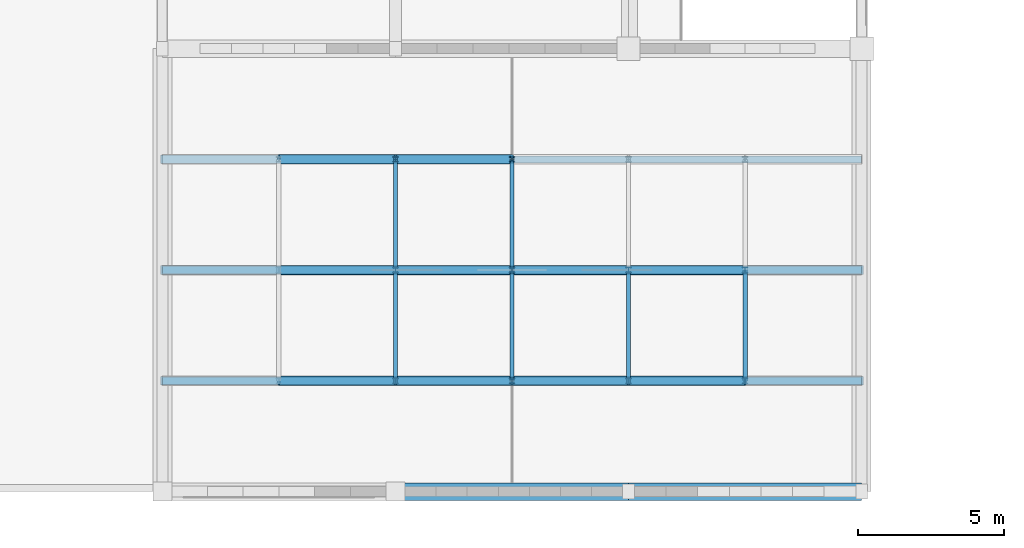
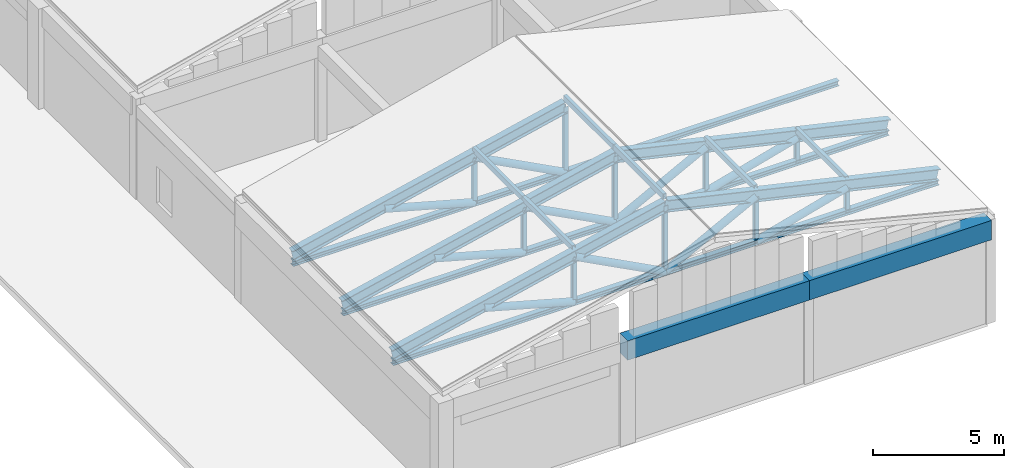
# One storey, part 25 of 61: 34 members, 2 beams.
"""IFC4 building model written with IfcOpenShell, lengths in metres."""

from ifc_helpers import new_model, si_unit, direction, frame, origin, origin_2d, place, context, subcontext, project, spatial, rectangle, hollow_rectangle, hollow_circle, i_section, extrude, material, material_profile, profile_set, type_object, element, save


model = new_model("IFC4")

# Units and contexts
model_context = context("Model", 3, precision=1e-05, world=origin(), true_north=direction((0.0, 1.0)))
body_context = subcontext(model_context, "Body", "Model", "MODEL_VIEW")
ifc_project = project(units=[si_unit("LENGTHUNIT", "METRE"), si_unit("AREAUNIT", "SQUARE_METRE"), si_unit("VOLUMEUNIT", "CUBIC_METRE"), si_unit("PLANEANGLEUNIT", "RADIAN"), si_unit("MASSUNIT", "GRAM", prefix="KILO")], contexts=[model_context])

# Site, building, storey
site_placement = place(None, origin())
site = spatial("IfcSite", under=ifc_project, at=site_placement, CompositionType="ELEMENT")
building_placement = place(site_placement, origin())
building = spatial("IfcBuilding", under=site, at=building_placement, Name="Vellmiral Cinema and Media Centre", CompositionType="ELEMENT")
storey_placement = place(building_placement, frame((0.0, 0.0, 10.800048828125)))
storey = spatial("IfcBuildingStorey", under=building, at=storey_placement, Name="L02", CompositionType="ELEMENT", Elevation=10.800048828125)

# Members
ifc_material_1 = material(Name="Steel S355", Category="steel")
ifc_material_profile_1 = material_profile(ifc_material_1, hollow_rectangle(XDim=0.14990234375, YDim=0.25, WallThickness=0.010009765625, at=origin_2d()), Name="RHS 250x150x10.0")
ifc_profile_set_1 = profile_set([ifc_material_profile_1], Name="Steel S355")
member_type_1 = type_object("IfcMemberType", Name="PRL-RHS250", PredefinedType="PURLIN", material=ifc_profile_set_1)
member_1_placement = place(storey_placement, frame((132.0, 16.60009765625, 6.634521484375), z_axis=(0.0, 1.0, 0.0), x_axis=(-1.0, 0.0, 0.0)))
element("IfcMember", 1, at=member_1_placement, inside=storey, type_object=member_type_1, Name="Roof Purlin 5.2.1", PredefinedType="PURLIN", context=body_context, shape_type="SweptSolid", body=[
    extrude(hollow_rectangle(XDim=0.14990234375, YDim=0.25, WallThickness=0.010009765625, at=origin_2d()), origin(), (0.0, 0.0, 1.0), 3.7998046875),
])
member_2_placement = place(storey_placement, frame((132.0, 20.39990234375, 6.634521484375), z_axis=(0.0, 1.0, 0.0), x_axis=(-1.0, 0.0, 0.0)))
element("IfcMember", 2, at=member_2_placement, inside=storey, type_object=member_type_1, Name="Roof Purlin 5.2.2", PredefinedType="PURLIN", context=body_context, shape_type="SweptSolid", body=[
    extrude(hollow_rectangle(XDim=0.14990234375, YDim=0.25, WallThickness=0.010009765625, at=origin_2d()), origin(), (0.0, 0.0, 1.0), 3.800048828125),
])
member_3_placement = place(storey_placement, frame((136.0, 16.60009765625, 7.6318359375), z_axis=(0.0, 1.0, 0.0), x_axis=(-1.0, 0.0, 0.0)))
element("IfcMember", 3, at=member_3_placement, inside=storey, type_object=member_type_1, Name="Roof Purlin 5.3.1", PredefinedType="PURLIN", context=body_context, shape_type="SweptSolid", body=[
    extrude(hollow_rectangle(XDim=0.14990234375, YDim=0.25, WallThickness=0.010009765625, at=origin_2d()), origin(), (0.0, 0.0, 1.0), 3.7998046875),
])
member_4_placement = place(storey_placement, frame((136.0, 20.39990234375, 7.6318359375), z_axis=(0.0, 1.0, 0.0), x_axis=(-1.0, 0.0, 0.0)))
element("IfcMember", 4, at=member_4_placement, inside=storey, type_object=member_type_1, Name="Roof Purlin 5.3.2", PredefinedType="PURLIN", context=body_context, shape_type="SweptSolid", body=[
    extrude(hollow_rectangle(XDim=0.14990234375, YDim=0.25, WallThickness=0.010009765625, at=origin_2d()), origin(), (0.0, 0.0, 1.0), 3.800048828125),
])
for number, where, z_axis, x_axis, name in (
    (5, (140.0, 16.60009765625, 6.634521484375), (0.0, 1.0, 0.0), (-1.0, 0.0, 0.0), "Roof Purlin 5.4.1"),
    (6, (144.0, 16.60009765625, 5.63720703125), (0.0, 1.0, 0.0), (-1.0, 0.0, 0.0), "Roof Purlin 5.5.1"),
):
    element("IfcMember", number, at=place(storey_placement, frame(where, z_axis=z_axis, x_axis=x_axis)), inside=storey, type_object=member_type_1, Name=name, PredefinedType="PURLIN", context=body_context, shape_type="SweptSolid", body=[
        extrude(hollow_rectangle(XDim=0.14990234375, YDim=0.25, WallThickness=0.010009765625, at=origin_2d()), origin(), (0.0, 0.0, 1.0), 3.7998046875),
    ])

# Beams
ifc_material_2 = material(Name="Concrete C40/50", Category="concrete")
ifc_material_profile_2 = material_profile(ifc_material_2, rectangle(XDim=0.60009765625, YDim=0.89990234375, at=origin_2d()), Name="RC 600x900")
ifc_profile_set_2 = profile_set([ifc_material_profile_2], Name="Concrete C40/50")
beam_type = type_object("IfcBeamType", Name="RING-BM-600x900", PredefinedType="BEAM", material=ifc_profile_set_2)
for number, where, z_axis, x_axis, name in (
    (7, (132.0, 12.800048828125, 4.349853515625), (1.0, 0.0, 0.0), (0.0, 1.0, 0.0), "Cinema Screen 5 Ring Beam 02"),
    (8, (140.0, 12.800048828125, 4.349853515625), (1.0, 0.0, 0.0), (0.0, 1.0, 0.0), "Cinema Screen 5 Ring Beam 03"),
):
    element("IfcBeam", number, at=place(storey_placement, frame(where, z_axis=z_axis, x_axis=x_axis)), inside=storey, type_object=beam_type, Name=name, PredefinedType="BEAM", context=body_context, shape_type="SweptSolid", body=[
        extrude(rectangle(XDim=0.60009765625, YDim=0.89990234375, at=origin_2d()), origin(), (0.0, 0.0, 1.0), 8.0),
    ])

# Members
ifc_material_3 = material(Name="Steel S355", Category="steel")
ifc_material_profile_3 = material_profile(ifc_material_3, hollow_circle(Radius=0.161865234375, WallThickness=0.012451171875, at=origin_2d()), Name="CHS 323.9x12.5")
ifc_profile_set_3 = profile_set([ifc_material_profile_3], Name="Steel S355")
member_type_2 = type_object("IfcMemberType", Name="TBR-CHS324", PredefinedType="BRACE", material=ifc_profile_set_3)
member_5_placement = place(storey_placement, frame((128.0, 16.60009765625, 5.252197265625), z_axis=(0.964063843926, 0.0, -0.265670669881), x_axis=(0.0, 1.0, 0.0)))
element("IfcMember", 9, at=member_5_placement, inside=storey, type_object=member_type_2, Name="Roof Truss TR-05.1 Diagonal 2", PredefinedType="BRACE", context=body_context, shape_type="SweptSolid", body=[
    extrude(hollow_circle(Radius=0.161865234375, WallThickness=0.012451171875, at=origin_2d()), origin(), (0.0, 0.0, 1.0), 4.149169921875),
])
for number, where, z_axis, x_axis, name in (
    (10, (132.0, 16.60009765625, 6.24951171875), (0.885433487316, 0.0, -0.464766112727), (0.0, 1.0, 0.0), "Roof Truss TR-05.1 Diagonal 3"),
    (11, (136.0, 16.60009765625, 4.14990234375), (0.885433487316, 0.0, 0.464766112727), (0.0, 1.0, 0.0), "Roof Truss TR-05.1 Diagonal 4"),
):
    element("IfcMember", number, at=place(storey_placement, frame(where, z_axis=z_axis, x_axis=x_axis)), inside=storey, type_object=member_type_2, Name=name, PredefinedType="BRACE", context=body_context, shape_type="SweptSolid", body=[
        extrude(hollow_circle(Radius=0.161865234375, WallThickness=0.012451171875, at=origin_2d()), origin(), (0.0, 0.0, 1.0), 4.517578125),
    ])
for number, where, z_axis, x_axis, name in (
    (12, (140.0, 16.60009765625, 4.14990234375), (0.964063843926, 0.0, 0.265670669881), (0.0, 1.0, 0.0), "Roof Truss TR-05.1 Diagonal 5"),
    (13, (128.0, 20.39990234375, 5.252197265625), (0.964063843926, 0.0, -0.265670669881), (0.0, 1.0, 0.0), "Roof Truss TR-05.2 Diagonal 2"),
):
    element("IfcMember", number, at=place(storey_placement, frame(where, z_axis=z_axis, x_axis=x_axis)), inside=storey, type_object=member_type_2, Name=name, PredefinedType="BRACE", context=body_context, shape_type="SweptSolid", body=[
        extrude(hollow_circle(Radius=0.161865234375, WallThickness=0.012451171875, at=origin_2d()), origin(), (0.0, 0.0, 1.0), 4.149169921875),
    ])
for number, where, z_axis, x_axis, name in (
    (14, (132.0, 20.39990234375, 6.24951171875), (0.885433487316, 0.0, -0.464766112727), (0.0, 1.0, 0.0), "Roof Truss TR-05.2 Diagonal 3"),
    (15, (136.0, 20.39990234375, 4.14990234375), (0.885433487316, 0.0, 0.464766112727), (0.0, 1.0, 0.0), "Roof Truss TR-05.2 Diagonal 4"),
):
    element("IfcMember", number, at=place(storey_placement, frame(where, z_axis=z_axis, x_axis=x_axis)), inside=storey, type_object=member_type_2, Name=name, PredefinedType="BRACE", context=body_context, shape_type="SweptSolid", body=[
        extrude(hollow_circle(Radius=0.161865234375, WallThickness=0.012451171875, at=origin_2d()), origin(), (0.0, 0.0, 1.0), 4.517578125),
    ])
for number, where, z_axis, x_axis, name in (
    (16, (140.0, 20.39990234375, 4.14990234375), (0.964063843926, 0.0, 0.265670669881), (0.0, 1.0, 0.0), "Roof Truss TR-05.2 Diagonal 5"),
    (17, (128.0, 24.199951171875, 5.252197265625), (0.964063843926, 0.0, -0.265670669881), (0.0, 1.0, 0.0), "Roof Truss TR-05.3 Diagonal 2"),
):
    element("IfcMember", number, at=place(storey_placement, frame(where, z_axis=z_axis, x_axis=x_axis)), inside=storey, type_object=member_type_2, Name=name, PredefinedType="BRACE", context=body_context, shape_type="SweptSolid", body=[
        extrude(hollow_circle(Radius=0.161865234375, WallThickness=0.012451171875, at=origin_2d()), origin(), (0.0, 0.0, 1.0), 4.149169921875),
    ])
member_6_placement = place(storey_placement, frame((132.0, 24.199951171875, 6.24951171875), z_axis=(0.885433487316, 0.0, -0.464766112727), x_axis=(0.0, 1.0, 0.0)))
element("IfcMember", 18, at=member_6_placement, inside=storey, type_object=member_type_2, Name="Roof Truss TR-05.3 Diagonal 3", PredefinedType="BRACE", context=body_context, shape_type="SweptSolid", body=[
    extrude(hollow_circle(Radius=0.161865234375, WallThickness=0.012451171875, at=origin_2d()), origin(), (0.0, 0.0, 1.0), 4.517578125),
])
ifc_material_4 = material(Name="Steel S355", Category="steel")
ifc_material_profile_4 = material_profile(ifc_material_4, i_section(OverallWidth=0.179931640625, OverallDepth=0.179931640625, WebThickness=0.008544921875, FlangeThickness=0.013916015625, FilletRadius=0.014892578125, at=origin_2d()), Name="HEB 180")
ifc_profile_set_4 = profile_set([ifc_material_profile_4], Name="Steel S355")
member_type_3 = type_object("IfcMemberType", Name="TBR-HEB180", PredefinedType="BRACE", material=ifc_profile_set_4)
member_7_placement = place(storey_placement, frame((132.0, 16.60009765625, 4.14990234375), z_axis=(0.0, 0.0, 1.0), x_axis=(1.0, 0.0, 0.0)))
element("IfcMember", 19, at=member_7_placement, inside=storey, type_object=member_type_3, Name="Roof Truss TR-05.1 Post 2", PredefinedType="BRACE", context=body_context, shape_type="SweptSolid", body=[
    extrude(i_section(OverallWidth=0.179931640625, OverallDepth=0.179931640625, WebThickness=0.008544921875, FlangeThickness=0.013916015625, FilletRadius=0.014892578125, at=origin_2d()), origin(), (0.0, 0.0, 1.0), 2.099609375),
])
member_8_placement = place(storey_placement, frame((136.0, 16.60009765625, 4.14990234375), z_axis=(0.0, 0.0, 1.0), x_axis=(1.0, 0.0, 0.0)))
element("IfcMember", 20, at=member_8_placement, inside=storey, type_object=member_type_3, Name="Roof Truss TR-05.1 Post 3", PredefinedType="BRACE", context=body_context, shape_type="SweptSolid", body=[
    extrude(i_section(OverallWidth=0.179931640625, OverallDepth=0.179931640625, WebThickness=0.008544921875, FlangeThickness=0.013916015625, FilletRadius=0.014892578125, at=origin_2d()), origin(), (0.0, 0.0, 1.0), 3.096923828125),
])
member_9_placement = place(storey_placement, frame((140.0, 16.60009765625, 4.14990234375), z_axis=(0.0, 0.0, 1.0), x_axis=(1.0, 0.0, 0.0)))
element("IfcMember", 21, at=member_9_placement, inside=storey, type_object=member_type_3, Name="Roof Truss TR-05.1 Post 4", PredefinedType="BRACE", context=body_context, shape_type="SweptSolid", body=[
    extrude(i_section(OverallWidth=0.179931640625, OverallDepth=0.179931640625, WebThickness=0.008544921875, FlangeThickness=0.013916015625, FilletRadius=0.014892578125, at=origin_2d()), origin(), (0.0, 0.0, 1.0), 2.099609375),
])
member_10_placement = place(storey_placement, frame((144.0, 16.60009765625, 4.14990234375), z_axis=(0.0, 0.0, 1.0), x_axis=(1.0, 0.0, 0.0)))
element("IfcMember", 22, at=member_10_placement, inside=storey, type_object=member_type_3, Name="Roof Truss TR-05.1 Post 5", PredefinedType="BRACE", context=body_context, shape_type="SweptSolid", body=[
    extrude(i_section(OverallWidth=0.179931640625, OverallDepth=0.179931640625, WebThickness=0.008544921875, FlangeThickness=0.013916015625, FilletRadius=0.014892578125, at=origin_2d()), origin(), (0.0, 0.0, 1.0), 1.102294921875),
])
member_11_placement = place(storey_placement, frame((132.0, 20.39990234375, 4.14990234375), z_axis=(0.0, 0.0, 1.0), x_axis=(1.0, 0.0, 0.0)))
element("IfcMember", 23, at=member_11_placement, inside=storey, type_object=member_type_3, Name="Roof Truss TR-05.2 Post 2", PredefinedType="BRACE", context=body_context, shape_type="SweptSolid", body=[
    extrude(i_section(OverallWidth=0.179931640625, OverallDepth=0.179931640625, WebThickness=0.008544921875, FlangeThickness=0.013916015625, FilletRadius=0.014892578125, at=origin_2d()), origin(), (0.0, 0.0, 1.0), 2.099609375),
])
member_12_placement = place(storey_placement, frame((136.0, 20.39990234375, 4.14990234375), z_axis=(0.0, 0.0, 1.0), x_axis=(1.0, 0.0, 0.0)))
element("IfcMember", 24, at=member_12_placement, inside=storey, type_object=member_type_3, Name="Roof Truss TR-05.2 Post 3", PredefinedType="BRACE", context=body_context, shape_type="SweptSolid", body=[
    extrude(i_section(OverallWidth=0.179931640625, OverallDepth=0.179931640625, WebThickness=0.008544921875, FlangeThickness=0.013916015625, FilletRadius=0.014892578125, at=origin_2d()), origin(), (0.0, 0.0, 1.0), 3.096923828125),
])
member_13_placement = place(storey_placement, frame((140.0, 20.39990234375, 4.14990234375), z_axis=(0.0, 0.0, 1.0), x_axis=(1.0, 0.0, 0.0)))
element("IfcMember", 25, at=member_13_placement, inside=storey, type_object=member_type_3, Name="Roof Truss TR-05.2 Post 4", PredefinedType="BRACE", context=body_context, shape_type="SweptSolid", body=[
    extrude(i_section(OverallWidth=0.179931640625, OverallDepth=0.179931640625, WebThickness=0.008544921875, FlangeThickness=0.013916015625, FilletRadius=0.014892578125, at=origin_2d()), origin(), (0.0, 0.0, 1.0), 2.099609375),
])
member_14_placement = place(storey_placement, frame((144.0, 20.39990234375, 4.14990234375), z_axis=(0.0, 0.0, 1.0), x_axis=(1.0, 0.0, 0.0)))
element("IfcMember", 26, at=member_14_placement, inside=storey, type_object=member_type_3, Name="Roof Truss TR-05.2 Post 5", PredefinedType="BRACE", context=body_context, shape_type="SweptSolid", body=[
    extrude(i_section(OverallWidth=0.179931640625, OverallDepth=0.179931640625, WebThickness=0.008544921875, FlangeThickness=0.013916015625, FilletRadius=0.014892578125, at=origin_2d()), origin(), (0.0, 0.0, 1.0), 1.102294921875),
])
member_15_placement = place(storey_placement, frame((132.0, 24.199951171875, 4.14990234375), z_axis=(0.0, 0.0, 1.0), x_axis=(1.0, 0.0, 0.0)))
element("IfcMember", 27, at=member_15_placement, inside=storey, type_object=member_type_3, Name="Roof Truss TR-05.3 Post 2", PredefinedType="BRACE", context=body_context, shape_type="SweptSolid", body=[
    extrude(i_section(OverallWidth=0.179931640625, OverallDepth=0.179931640625, WebThickness=0.008544921875, FlangeThickness=0.013916015625, FilletRadius=0.014892578125, at=origin_2d()), origin(), (0.0, 0.0, 1.0), 2.099609375),
])
member_16_placement = place(storey_placement, frame((136.0, 24.199951171875, 4.14990234375), z_axis=(0.0, 0.0, 1.0), x_axis=(1.0, 0.0, 0.0)))
element("IfcMember", 28, at=member_16_placement, inside=storey, type_object=member_type_3, Name="Roof Truss TR-05.3 Post 3", PredefinedType="BRACE", context=body_context, shape_type="SweptSolid", body=[
    extrude(i_section(OverallWidth=0.179931640625, OverallDepth=0.179931640625, WebThickness=0.008544921875, FlangeThickness=0.013916015625, FilletRadius=0.014892578125, at=origin_2d()), origin(), (0.0, 0.0, 1.0), 3.096923828125),
])
ifc_material_5 = material(Name="Steel S355", Category="steel")
ifc_material_profile_5 = material_profile(ifc_material_5, i_section(OverallWidth=0.300048828125, OverallDepth=0.5400390625, WebThickness=0.012451171875, FlangeThickness=0.02392578125, FilletRadius=0.027099609375, at=origin_2d()), Name="HEA 550")
ifc_profile_set_5 = profile_set([ifc_material_profile_5], Name="Steel S355")
member_type_4 = type_object("IfcMemberType", Name="TCH-HEA550", PredefinedType="CHORD", material=ifc_profile_set_5)
for number, where, z_axis, x_axis, name in (
    (29, (124.0, 16.60009765625, 4.5), (0.974788422875, 0.0, 0.223131196), (0.0, 1.0, 0.0), "Roof Truss TR-05.1 Top Chord W"),
    (30, (136.0, 16.60009765625, 7.246826171875), (0.974788422875, 0.0, -0.223131196), (0.0, 1.0, 0.0), "Roof Truss TR-05.1 Top Chord E"),
    (31, (124.0, 20.39990234375, 4.5), (0.974788422875, 0.0, 0.223131196), (0.0, 1.0, 0.0), "Roof Truss TR-05.2 Top Chord W"),
    (32, (136.0, 20.39990234375, 7.246826171875), (0.974788422875, 0.0, -0.223131196), (0.0, 1.0, 0.0), "Roof Truss TR-05.2 Top Chord E"),
    (33, (124.0, 24.199951171875, 4.5), (0.974788422875, 0.0, 0.223131196), (0.0, 1.0, 0.0), "Roof Truss TR-05.3 Top Chord W"),
):
    element("IfcMember", number, at=place(storey_placement, frame(where, z_axis=z_axis, x_axis=x_axis)), inside=storey, type_object=member_type_4, Name=name, PredefinedType="CHORD", context=body_context, shape_type="SweptSolid", body=[
        extrude(i_section(OverallWidth=0.300048828125, OverallDepth=0.5400390625, WebThickness=0.012451171875, FlangeThickness=0.02392578125, FilletRadius=0.027099609375, at=origin_2d()), origin(), (0.0, 0.0, 1.0), 12.310302734375),
    ])
ifc_material_6 = material(Name="Steel S355", Category="steel")
ifc_material_profile_6 = material_profile(ifc_material_6, i_section(OverallWidth=0.239990234375, OverallDepth=0.239990234375, WebThickness=0.010009765625, FlangeThickness=0.01708984375, FilletRadius=0.02099609375, at=origin_2d()), Name="HEB 240")
ifc_profile_set_6 = profile_set([ifc_material_profile_6], Name="Steel S355")
member_type_5 = type_object("IfcMemberType", Name="TCH-HEB240", PredefinedType="CHORD", material=ifc_profile_set_6)
for number, where, z_axis, x_axis, name in (
    (34, (124.0, 16.60009765625, 4.14990234375), (1.0, 0.0, 0.0), (0.0, 1.0, 0.0), "Roof Truss TR-05.1 Bottom Chord"),
    (35, (124.0, 20.39990234375, 4.14990234375), (1.0, 0.0, 0.0), (0.0, 1.0, 0.0), "Roof Truss TR-05.2 Bottom Chord"),
    (36, (124.0, 24.199951171875, 4.14990234375), (1.0, 0.0, 0.0), (0.0, 1.0, 0.0), "Roof Truss TR-05.3 Bottom Chord"),
):
    element("IfcMember", number, at=place(storey_placement, frame(where, z_axis=z_axis, x_axis=x_axis)), inside=storey, type_object=member_type_5, Name=name, PredefinedType="CHORD", context=body_context, shape_type="SweptSolid", body=[
        extrude(i_section(OverallWidth=0.239990234375, OverallDepth=0.239990234375, WebThickness=0.010009765625, FlangeThickness=0.01708984375, FilletRadius=0.02099609375, at=origin_2d()), origin(), (0.0, 0.0, 1.0), 24.0),
    ])

save(model, "model.ifc")
